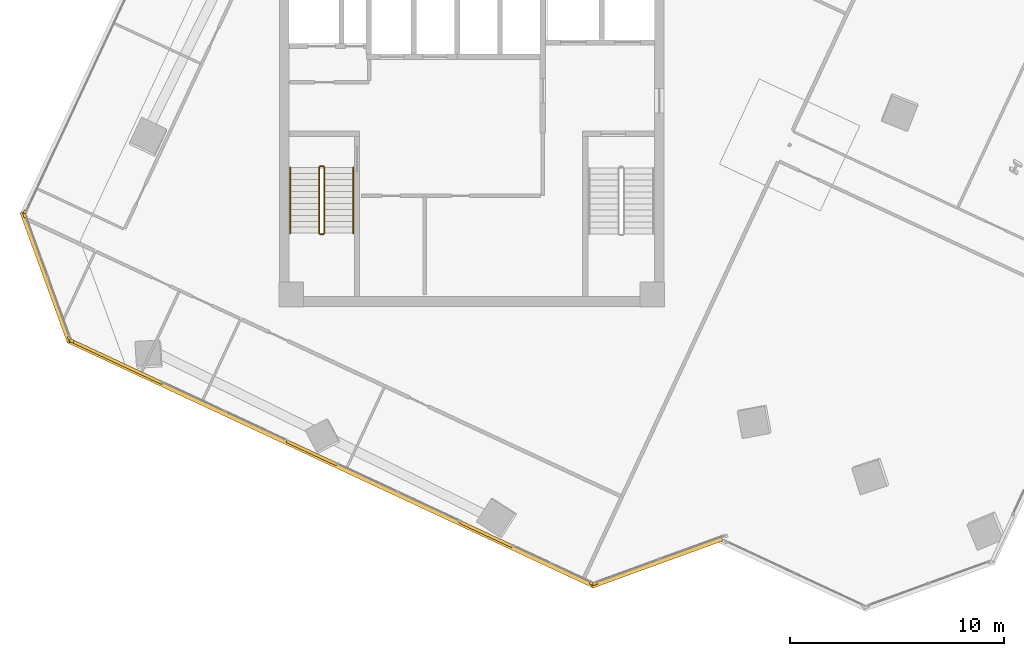
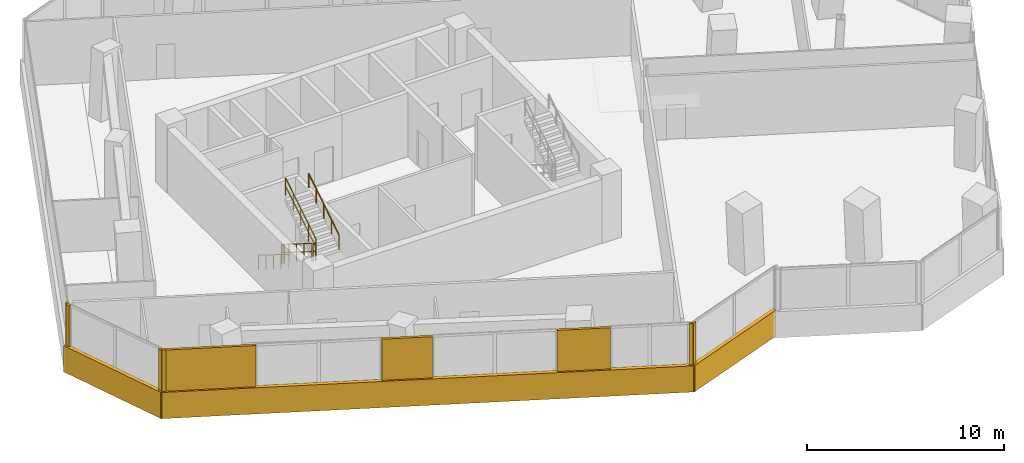
# One storey, part 20 of 23: 12 coverings, 6 railings.
"""IFC4 building model written with IfcOpenShell, lengths in metres."""

from ifc_helpers import new_model, si_unit, direction, frame, origin, origin_2d, place, context, subcontext, project, spatial, rectangle, circle, extrude, source, transform, mapped, material, layer, layer_set, type_object, element, save


model = new_model("IFC4")

# Units and contexts
model_context = context("Model", 3, precision=1e-05, world=origin(), true_north=direction((0.0, 1.0)))
body_context = subcontext(model_context, "Body", "Model", "MODEL_VIEW")
ifc_project = project(units=[si_unit("LENGTHUNIT", "METRE"), si_unit("AREAUNIT", "SQUARE_METRE"), si_unit("VOLUMEUNIT", "CUBIC_METRE"), si_unit("PLANEANGLEUNIT", "RADIAN"), si_unit("MASSUNIT", "GRAM", prefix="KILO")], contexts=[model_context])

# Site, building, storey
site_placement = place(None, origin())
site = spatial("IfcSite", under=ifc_project, at=site_placement, CompositionType="ELEMENT")
building_placement = place(site_placement, origin())
building = spatial("IfcBuilding", under=site, at=building_placement, Name="Torre Montelarca", CompositionType="ELEMENT")
storey_placement = place(building_placement, frame((0.0, 0.0, 158.199951171875)))
storey = spatial("IfcBuildingStorey", under=building, at=storey_placement, Name="L35", CompositionType="ELEMENT", Elevation=158.199951171875)

# Railings
ifc_material_1 = material(Name="Powder-coated steel ASTM A500 Grade C", Category="steel")
railing_type_1 = type_object("IfcRailingType", Name="RL-GUARD-1100", PredefinedType="BALUSTRADE", material=ifc_material_1)
railing_1_placement = place(storey_placement, frame((10.85009765625, 30.5, 0.175048828125)))
element("IfcRailing", 1, at=railing_1_placement, inside=storey, type_object=railing_type_1, Name="L35 ST1 stair guard 1", PredefinedType="BALUSTRADE", context=body_context, shape_type="SweptSolid", body=[
    extrude(circle(Radius=0.02392578125, at=origin_2d()), frame((0.0, 0.0, 1.076171875), z_axis=(0.0, -0.847998304005, 0.529998940003), x_axis=(1.0, 0.0, 0.0)), (0.0, 0.0, 1.0), 3.632080078125),
    extrude(circle(Radius=0.02099609375, at=origin_2d()), frame((0.0, 0.0, 0.572021484375), z_axis=(0.0, -0.847998304005, 0.529998940003), x_axis=(1.0, 0.0, 0.0)), (0.0, 0.0, 1.0), 3.632080078125),
    extrude(circle(Radius=0.02099609375, at=origin_2d()), origin(), (0.0, 0.0, 1.0), 1.052001953125),
    extrude(circle(Radius=0.02099609375, at=origin_2d()), frame((0.0, -0.77001953125, 0.481201171875)), (0.0, 0.0, 1.0), 1.052001953125),
    extrude(circle(Radius=0.02099609375, at=origin_2d()), frame((0.0, -1.5400390625, 0.96240234375)), (0.0, 0.0, 1.0), 1.052001953125),
    extrude(circle(Radius=0.02099609375, at=origin_2d()), frame((0.0, -2.31005859375, 1.44384765625)), (0.0, 0.0, 1.0), 1.052001953125),
    extrude(circle(Radius=0.02099609375, at=origin_2d()), frame((0.0, -3.080078125, 1.925048828125)), (0.0, 0.0, 1.0), 1.052001953125),
])
railing_2_placement = place(storey_placement, frame((10.89990234375, 27.3701171875, 2.10009765625)))
element("IfcRailing", 2, at=railing_2_placement, inside=storey, type_object=railing_type_1, Name="L35 ST1 stair guard 2", PredefinedType="BALUSTRADE", context=body_context, shape_type="SweptSolid", body=[
    extrude(circle(Radius=0.02392578125, at=origin_2d()), frame((0.0, 0.0, 1.076171875), z_axis=(1.0, 0.0, 0.0), x_axis=(0.0, 1.0, 0.0)), (0.0, 0.0, 1.0), 0.150146484375),
    extrude(circle(Radius=0.02099609375, at=origin_2d()), frame((0.0, 0.0, 0.572021484375), z_axis=(1.0, 0.0, 0.0), x_axis=(0.0, 1.0, 0.0)), (0.0, 0.0, 1.0), 0.150146484375),
    extrude(circle(Radius=0.02099609375, at=origin_2d()), origin(), (0.0, 0.0, 1.0), 1.052001953125),
    extrude(circle(Radius=0.02099609375, at=origin_2d()), frame((0.150146484375, 0.0, 0.0)), (0.0, 0.0, 1.0), 1.052001953125),
])
railing_3_placement = place(storey_placement, frame((11.10009765625, 27.419921875, 2.275146484375)))
element("IfcRailing", 3, at=railing_3_placement, inside=storey, type_object=railing_type_1, Name="L35 ST1 stair guard 3", PredefinedType="BALUSTRADE", context=body_context, shape_type="SweptSolid", body=[
    extrude(circle(Radius=0.02392578125, at=origin_2d()), frame((0.0, 0.0, 1.076171875), z_axis=(0.0, 0.848028513186, 0.529950602248), x_axis=(-1.0, 0.0, 0.0)), (0.0, 0.0, 1.0), 3.632080078125),
    extrude(circle(Radius=0.02099609375, at=origin_2d()), frame((0.0, 0.0, 0.572021484375), z_axis=(0.0, 0.848028513186, 0.529950602248), x_axis=(-1.0, 0.0, 0.0)), (0.0, 0.0, 1.0), 3.632080078125),
    extrude(circle(Radius=0.02099609375, at=origin_2d()), origin(), (0.0, 0.0, 1.0), 1.052001953125),
    extrude(circle(Radius=0.02099609375, at=origin_2d()), frame((0.0, 0.77001953125, 0.481201171875)), (0.0, 0.0, 1.0), 1.052001953125),
    extrude(circle(Radius=0.02099609375, at=origin_2d()), frame((0.0, 1.5400390625, 0.96240234375)), (0.0, 0.0, 1.0), 1.052001953125),
    extrude(circle(Radius=0.02099609375, at=origin_2d()), frame((0.0, 2.31005859375, 1.443603515625)), (0.0, 0.0, 1.0), 1.052001953125),
    extrude(circle(Radius=0.02099609375, at=origin_2d()), frame((0.0, 3.080078125, 1.9248046875)), (0.0, 0.0, 1.0), 1.052001953125),
])
railing_4_placement = place(storey_placement, frame((10.89990234375, 30.550048828125, 0.0)))
element("IfcRailing", 4, at=railing_4_placement, inside=storey, type_object=railing_type_1, Name="L35 ST1 stair guard 4", PredefinedType="BALUSTRADE", context=body_context, shape_type="SweptSolid", body=[
    extrude(circle(Radius=0.02392578125, at=origin_2d()), frame((0.0, 0.0, 1.076171875), z_axis=(1.0, 0.0, 0.0), x_axis=(0.0, 1.0, 0.0)), (0.0, 0.0, 1.0), 0.150146484375),
    extrude(circle(Radius=0.02099609375, at=origin_2d()), frame((0.0, 0.0, 0.572021484375), z_axis=(1.0, 0.0, 0.0), x_axis=(0.0, 1.0, 0.0)), (0.0, 0.0, 1.0), 0.150146484375),
    extrude(circle(Radius=0.02099609375, at=origin_2d()), origin(), (0.0, 0.0, 1.0), 1.052001953125),
    extrude(circle(Radius=0.02099609375, at=origin_2d()), frame((0.150146484375, 0.0, 0.0)), (0.0, 0.0, 1.0), 1.052001953125),
])
ifc_material_2 = material(Name="Brushed stainless steel AISI 316", Category="steel")
railing_type_2 = type_object("IfcRailingType", Name="RL-HANDRAIL-900", PredefinedType="HANDRAIL", material=ifc_material_2)
railing_5_placement = place(storey_placement, frame((9.5, 30.5, 0.175048828125)))
element("IfcRailing", 5, at=railing_5_placement, inside=storey, type_object=railing_type_2, Name="L35 ST1 stair handrail 1", PredefinedType="HANDRAIL", context=body_context, shape_type="SweptSolid", body=[
    extrude(circle(Radius=0.02392578125, at=origin_2d()), frame((0.0, 0.0, 0.8759765625), z_axis=(0.0, -0.847998304005, 0.529998940003), x_axis=(1.0, 0.0, 0.0)), (0.0, 0.0, 1.0), 3.632080078125),
    extrude(circle(Radius=0.02099609375, at=origin_2d()), origin(), (0.0, 0.0, 1.0), 0.851806640625),
    extrude(circle(Radius=0.02099609375, at=origin_2d()), frame((0.0, -0.77001953125, 0.481201171875)), (0.0, 0.0, 1.0), 0.851806640625),
    extrude(circle(Radius=0.02099609375, at=origin_2d()), frame((0.0, -1.5400390625, 0.96240234375)), (0.0, 0.0, 1.0), 0.851806640625),
    extrude(circle(Radius=0.02099609375, at=origin_2d()), frame((0.0, -2.31005859375, 1.44384765625)), (0.0, 0.0, 1.0), 0.851806640625),
    extrude(circle(Radius=0.02099609375, at=origin_2d()), frame((0.0, -3.080078125, 1.925048828125)), (0.0, 0.0, 1.0), 0.851806640625),
])
railing_6_placement = place(storey_placement, frame((12.449951171875, 27.419921875, 2.275146484375)))
element("IfcRailing", 6, at=railing_6_placement, inside=storey, type_object=railing_type_2, Name="L35 ST1 stair handrail 2", PredefinedType="HANDRAIL", context=body_context, shape_type="SweptSolid", body=[
    extrude(circle(Radius=0.02392578125, at=origin_2d()), frame((0.0, 0.0, 0.8759765625), z_axis=(0.0, 0.848028513186, 0.529950602248), x_axis=(-1.0, 0.0, 0.0)), (0.0, 0.0, 1.0), 3.632080078125),
    extrude(circle(Radius=0.02099609375, at=origin_2d()), origin(), (0.0, 0.0, 1.0), 0.851806640625),
    extrude(circle(Radius=0.02099609375, at=origin_2d()), frame((0.0, 0.77001953125, 0.481201171875)), (0.0, 0.0, 1.0), 0.851806640625),
    extrude(circle(Radius=0.02099609375, at=origin_2d()), frame((0.0, 1.5400390625, 0.96240234375)), (0.0, 0.0, 1.0), 0.851806640625),
    extrude(circle(Radius=0.02099609375, at=origin_2d()), frame((0.0, 2.31005859375, 1.443603515625)), (0.0, 0.0, 1.0), 0.851806640625),
    extrude(circle(Radius=0.02099609375, at=origin_2d()), frame((0.0, 3.080078125, 1.9248046875)), (0.0, 0.0, 1.0), 0.851806640625),
])

# Coverings
ifc_material_3 = material(Name="Bush-hammered warm white precast concrete C45/55", Category="concrete")
ifc_layer = layer(ifc_material_3, 0.139892578125, Name="Bush-hammered warm white precast concrete C45/55", Category="concrete")
ifc_layer_set = layer_set([ifc_layer], Name="Bush-hammered warm white precast concrete C45/55")
covering_type = type_object("IfcCoveringType", Name="COV-TRAY-CLAD", PredefinedType="CLADDING", material=ifc_layer_set)
shared_shape_1 = source(origin(), body_context, "Body", "SweptSolid", [
    extrude(rectangle(XDim=6.48388671875, YDim=0.219970703125, at=origin_2d()), origin(), (0.0, 0.0, 1.0), 1.6201171875),
])
for number, where, z_axis, x_axis, name in (
    (7, (26.6669921875, 12.01513671875, -0.449951171875), (0.0, 0.0, 1.0), (0.939693217722, 0.342018503252, 0.0), "L35 Architectural White Spandrel Tray Band TRYBOT-02"),
    (8, (-1.933837890625, 25.35205078125, -0.449951171875), (0.0, 0.0, 1.0), (0.342018503252, -0.939693217722, 0.0), "L35 Architectural White Spandrel Tray Band TRYBOT-11"),
):
    element("IfcCovering", number, at=place(storey_placement, frame(where, z_axis=z_axis, x_axis=x_axis)), inside=storey, type_object=covering_type, Name=name, PredefinedType="CLADDING", context=body_context, shape_type="MappedRepresentation", body=[
        mapped(shared_shape_1, transform((0.0, 0.0, 0.0), scale=1.0)),
    ])
shared_shape_2 = source(origin(), body_context, "Body", "SweptSolid", [
    extrude(rectangle(XDim=27.219970703125, YDim=0.219970703125, at=origin_2d()), origin(), (0.0, 0.0, 1.0), 1.6201171875),
])
covering_1_placement = place(storey_placement, frame((11.419189453125, 16.65234375, -0.449951171875), z_axis=(0.0, 0.0, 1.0), x_axis=(0.906308524643, -0.422616679935, 0.0)))
element("IfcCovering", 9, at=covering_1_placement, inside=storey, type_object=covering_type, Name="L35 Architectural White Spandrel Tray Band TRYBOT-01", PredefinedType="CLADDING", context=body_context, shape_type="MappedRepresentation", body=[
    mapped(shared_shape_2, transform((0.0, 0.0, 0.0), scale=1.0)),
])
shared_shape_3 = source(origin(), body_context, "Body", "SweptSolid", [
    extrude(rectangle(XDim=0.199951171875, YDim=0.139892578125, at=origin_2d()), origin(), (0.0, 0.0, 1.0), 3.719970703125),
])
for number, where, z_axis, x_axis, name in (
    (10, (-0.730712890625, 22.38427734375, 0.0), (0.0, 0.0, 1.0), (0.906308524643, -0.422616679935, 0.0), "L35 Architectural Column Pier Cladding E01-1"),
    (11, (23.6201171875, 11.029296875, 0.0), (0.0, 0.0, 1.0), (0.906308524643, -0.422616679935, 0.0), "L35 Architectural Column Pier Cladding E01-5"),
    (12, (23.76513671875, 11.02294921875, 0.0), (0.0, 0.0, 1.0), (0.939695008514, 0.342013583025, 0.0), "L35 Architectural Column Pier Cladding E02-1"),
    (13, (-2.919921875, 28.398681640625, 0.0), (0.0, 0.0, 1.0), (-0.422618261741, -0.906307787037, 0.0), "L35 Architectural Column Pier Cladding E10-2"),
    (14, (-2.92626953125, 28.253662109375, 0.0), (0.0, 0.0, 1.0), (0.342011942948, -0.939695605439, 0.0), "L35 Architectural Column Pier Cladding E11-1"),
    (15, (-0.828857421875, 22.4912109375, 0.0), (0.0, 0.0, 1.0), (0.342011942948, -0.939695605439, 0.0), "L35 Architectural Column Pier Cladding E11-2"),
):
    element("IfcCovering", number, at=place(storey_placement, frame(where, z_axis=z_axis, x_axis=x_axis)), inside=storey, type_object=covering_type, Name=name, PredefinedType="CLADDING", context=body_context, shape_type="MappedRepresentation", body=[
        mapped(shared_shape_3, transform((0.0, 0.0, 0.0), scale=1.0)),
    ])
shared_shape_4 = source(origin(), body_context, "Body", "SweptSolid", [
    extrude(rectangle(XDim=4.689208984375, YDim=0.139892578125, at=origin_2d()), origin(), (0.0, 0.0, 1.0), 3.719970703125),
])
covering_2_placement = place(storey_placement, frame((1.39404296875, 21.393310546875, 0.0), z_axis=(0.0, 0.0, 1.0), x_axis=(0.906308524643, -0.422616679935, 0.0)))
element("IfcCovering", 16, at=covering_2_placement, inside=storey, type_object=covering_type, Name="L35 Architectural Column Pier Cladding E01-2", PredefinedType="CLADDING", context=body_context, shape_type="MappedRepresentation", body=[
    mapped(shared_shape_4, transform((0.0, 0.0, 0.0), scale=1.0)),
])
shared_shape_5 = source(origin(), body_context, "Body", "SweptSolid", [
    extrude(rectangle(XDim=2.58447265625, YDim=0.139892578125, at=origin_2d()), origin(), (0.0, 0.0, 1.0), 3.719970703125),
])
covering_3_placement = place(storey_placement, frame((10.504638671875, 17.14501953125, 0.0), z_axis=(0.0, 0.0, 1.0), x_axis=(0.906308524643, -0.422616679935, 0.0)))
element("IfcCovering", 17, at=covering_3_placement, inside=storey, type_object=covering_type, Name="L35 Architectural Column Pier Cladding E01-3", PredefinedType="CLADDING", context=body_context, shape_type="MappedRepresentation", body=[
    mapped(shared_shape_5, transform((0.0, 0.0, 0.0), scale=1.0)),
])
shared_shape_6 = source(origin(), body_context, "Body", "SweptSolid", [
    extrude(rectangle(XDim=2.736572265625, YDim=0.139892578125, at=origin_2d()), origin(), (0.0, 0.0, 1.0), 3.719970703125),
])
covering_4_placement = place(storey_placement, frame((18.660400390625, 13.342041015625, 0.0), z_axis=(0.0, 0.0, 1.0), x_axis=(0.906308524643, -0.422616679935, 0.0)))
element("IfcCovering", 18, at=covering_4_placement, inside=storey, type_object=covering_type, Name="L35 Architectural Column Pier Cladding E01-4", PredefinedType="CLADDING", context=body_context, shape_type="MappedRepresentation", body=[
    mapped(shared_shape_6, transform((0.0, 0.0, 0.0), scale=1.0)),
])

save(model, "model.ifc")
